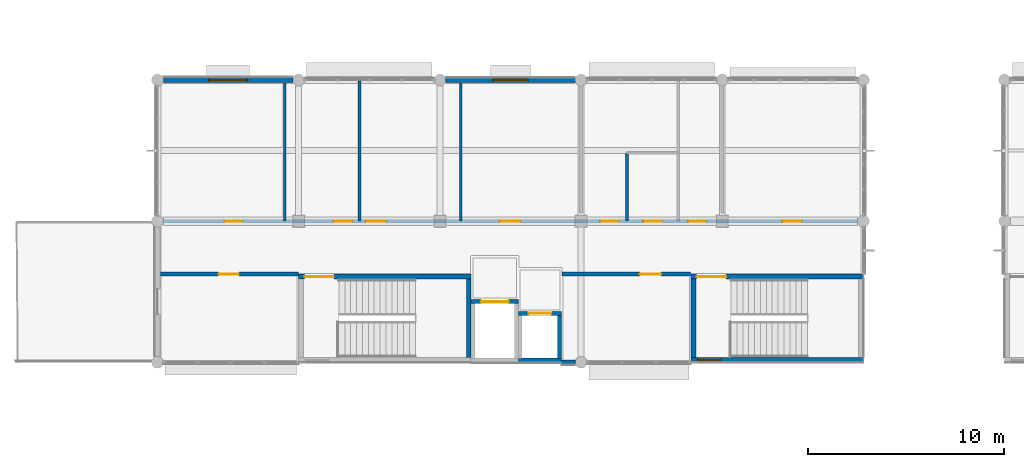
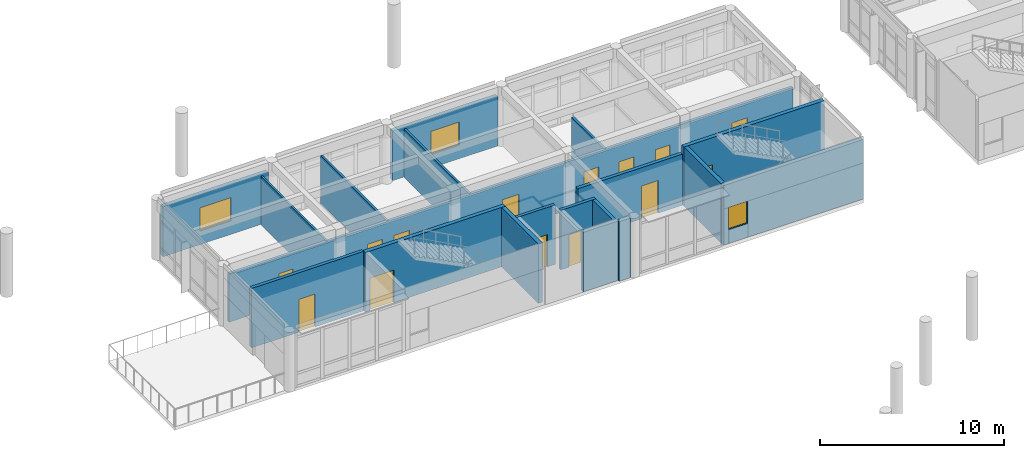
# One storey, part 21 of 41: 19 walls, 14 doors, 3 windows, 17 openings.
"""IFC4 building model written with IfcOpenShell, lengths in metres."""

import ifcopenshell
import ifcopenshell.guid

model = None  # the IFC model being written
_history = None  # IfcOwnerHistory: only IFC2X3 demands one
_inside = {}  # id of a spatial element -> (the spatial element, [elements in it])
_under = {}  # id of a project, library or spatial element -> (it, [spatial elements below it])
_declared = {}  # id of a project -> (the project, [libraries it declares])
_typed = {}  # id of a type object -> (the type object, [elements of that type])
_made_of = {}  # id of a material, layer set ... -> (it, [elements and type objects made of it])


def new_model(schema):
    """Start an empty IFC model of exactly this schema.

    Asked for "IFC4X3", IfcOpenShell would pick the latest addendum, in which some entities
    have other attributes; the version numbers below select the first issue.
    IFC2X3 requires an IfcOwnerHistory on every rooted entity: one is made here for all.
    """
    global model, _history
    if schema == "IFC4X3":
        model = ifcopenshell.file(schema_version=(4, 3, 0, 0))
    else:
        model = ifcopenshell.file(schema=schema)
    _inside.clear()
    _under.clear()
    _declared.clear()
    _typed.clear()
    _made_of.clear()
    _history = None
    if model.schema == "IFC2X3":
        org = make("IfcOrganization", Name="unknown")
        user = make(
            "IfcPersonAndOrganization",
            ThePerson=make("IfcPerson", FamilyName="unknown"),
            TheOrganization=org,
        )
        app = make(
            "IfcApplication",
            ApplicationDeveloper=org,
            Version="unknown",
            ApplicationFullName="unknown",
            ApplicationIdentifier="unknown",
        )
        _history = make(
            "IfcOwnerHistory",
            OwningUser=user,
            OwningApplication=app,
            ChangeAction="ADDED",
            CreationDate=0,
        )
    return model


def make(cls, **values):
    """One entity of the class cls with the attributes given. An attribute that is None is left unset."""
    return model.create_entity(
        cls, **{name: value for name, value in values.items() if value is not None}
    )


def rooted(cls, **values):
    """An entity with a GlobalId (a new one), such as an element, a storey or a relation."""
    return make(cls, GlobalId=ifcopenshell.guid.new(), OwnerHistory=_history, **values)


def si_unit(unit_type, name, prefix=None):
    """IfcSIUnit, for example si_unit("LENGTHUNIT", "METRE", prefix="MILLI")."""
    return make("IfcSIUnit", UnitType=unit_type, Prefix=prefix, Name=name)


def assignment(units):
    """IfcUnitAssignment: the units of a project."""
    return None if units is None else make("IfcUnitAssignment", Units=units)


def point(xyz):
    """IfcCartesianPoint."""
    return None if xyz is None else make("IfcCartesianPoint", Coordinates=xyz)


def direction(xyz):
    """IfcDirection."""
    return None if xyz is None else make("IfcDirection", DirectionRatios=xyz)


def frame(location, z_axis=None, x_axis=None):
    """IfcAxis2Placement3D, a coordinate frame: its origin and axes. An axis left out is left unset."""
    return make(
        "IfcAxis2Placement3D",
        Location=point(location),
        Axis=direction(z_axis),
        RefDirection=direction(x_axis),
    )


def frame_2d(location, x_axis=None):
    """IfcAxis2Placement2D, a coordinate frame in the plane: its origin and x axis."""
    return make(
        "IfcAxis2Placement2D", Location=point(location), RefDirection=direction(x_axis)
    )


def origin():
    """The frame at (0, 0, 0) with its axes left unset."""
    return frame((0.0, 0.0, 0.0))


def place(relative_to, where):
    """IfcLocalPlacement: puts the frame where relative to a parent placement (None: the world)."""
    return make(
        "IfcLocalPlacement", PlacementRelTo=relative_to, RelativePlacement=where
    )


def context(
    kind, dimensions, precision=None, world=None, true_north=None, identifier=None
):
    """IfcGeometricRepresentationContext, for example the 3D "Model" context."""
    return make(
        "IfcGeometricRepresentationContext",
        ContextIdentifier=identifier,
        ContextType=kind,
        CoordinateSpaceDimension=dimensions,
        Precision=precision,
        WorldCoordinateSystem=world,
        TrueNorth=true_north,
    )


def subcontext(parent, identifier, kind, view, scale=None):
    """IfcGeometricRepresentationSubContext, for example "Body" below "Model"."""
    return make(
        "IfcGeometricRepresentationSubContext",
        ContextIdentifier=identifier,
        ContextType=kind,
        ParentContext=parent,
        TargetScale=scale,
        TargetView=view,
    )


def project(units=None, contexts=None):
    """IfcProject with its units and contexts."""
    return rooted(
        "IfcProject",
        Name="project",
        RepresentationContexts=contexts,
        UnitsInContext=assignment(units),
    )


def spatial(cls, under=None, at=None, **own):
    """A site, building, storey or space (cls), placed at a placement, below another one or the project."""
    s = rooted(cls, ObjectPlacement=at, **own)
    if under is not None:
        _under.setdefault(under.id(), (under, []))[1].append(s)
    return s


def profile(cls, at=None, kind="AREA", **sizes):
    """A parametric profile (cls). Its sizes go by their IFC names, for example OverallWidth=200.0."""
    return make(cls, ProfileType=kind, Position=at, **sizes)


def rectangle(**sizes):
    """IfcRectangleProfileDef."""
    return profile("IfcRectangleProfileDef", **sizes)


def extrude(swept, where, along, depth):
    """IfcExtrudedAreaSolid: the profile swept, set in the frame where, extruded along a direction by depth."""
    return make(
        "IfcExtrudedAreaSolid",
        SweptArea=swept,
        Position=where,
        ExtrudedDirection=direction(along),
        Depth=depth,
    )


def shape(context_of_items, identifier, shape_type, items):
    """IfcShapeRepresentation: the items that make up one representation, for example the "Body"."""
    return make(
        "IfcShapeRepresentation",
        ContextOfItems=context_of_items,
        RepresentationIdentifier=identifier,
        RepresentationType=shape_type,
        Items=items,
    )


def material(Name=None, Category=None):
    """IfcMaterial."""
    return make("IfcMaterial", Name=Name, Category=Category)


def layer(
    of_material, thickness, ventilated=None, Name=None, Category=None, Priority=None
):
    """IfcMaterialLayer: one layer of a wall or slab, of a material (None: an air gap)."""
    return make(
        "IfcMaterialLayer",
        Material=of_material,
        LayerThickness=thickness,
        IsVentilated=ventilated,
        Name=Name,
        Category=Category,
        Priority=Priority,
    )


def layer_set(layers, Name=None):
    """IfcMaterialLayerSet."""
    return make("IfcMaterialLayerSet", MaterialLayers=layers, LayerSetName=Name)


def made_of(thing, what):
    """Note that an element or type object is made of a material, layer set ...; save() writes the relation."""
    if what is not None:
        _made_of.setdefault(what.id(), (what, []))[1].append(thing)
    return thing


def type_object(cls, material=None, **own):
    """A type object (cls), such as IfcWallType, which elements share."""
    return made_of(rooted(cls, **own), material)


def element(
    cls,
    number,
    at=None,
    inside=None,
    cuts=None,
    type_object=None,
    material=None,
    context=None,
    identifier="Body",
    shape_type=None,
    held_by="IfcProductDefinitionShape",
    body=None,
    shapes=None,
    **own,
):
    """One element of the class cls, such as IfcWall. Its Tag is "e" and its number.

    at: its placement. inside: the storey or other place that contains it. cuts: it is an
    opening in that element (IfcRelVoidsElement). A single representation is given by context,
    identifier, shape_type and body (its items); several are given by shapes. held_by: the class
    of the entity that holds the representations. save() writes the other relations.
    """
    e = rooted(cls, Tag="e%d" % number, ObjectPlacement=at, **own)
    if body is not None:
        shapes = [shape(context, identifier, shape_type, body)]
    if shapes is not None:
        e.Representation = make(held_by, Representations=shapes)
    if inside is not None:
        _inside.setdefault(inside.id(), (inside, []))[1].append(e)
    if cuts is not None:
        rooted(
            "IfcRelVoidsElement", RelatingBuildingElement=cuts, RelatedOpeningElement=e
        )
    if type_object is not None:
        _typed.setdefault(type_object.id(), (type_object, []))[1].append(e)
    return made_of(e, material)


def fill(opening, filler):
    """IfcRelFillsElement: the door or window that sits in an opening."""
    return rooted(
        "IfcRelFillsElement",
        RelatingOpeningElement=opening,
        RelatedBuildingElement=filler,
    )


def aggregate(whole, parts):
    """IfcRelAggregates: a whole, such as a stair, and the parts it consists of."""
    return rooted("IfcRelAggregates", RelatingObject=whole, RelatedObjects=parts)


def save(model, path):
    """Write the relations noted so far, then the file.

    IfcRelAggregates (storeys below a building ...), IfcRelContainedInSpatialStructure (elements
    in a storey), IfcRelDefinesByType, IfcRelAssociatesMaterial and IfcRelDeclares: one each for
    every whole, place, type object, material and project.
    """
    for whole, parts in _under.values():
        aggregate(whole, parts)
    for where, things in _inside.values():
        rooted(
            "IfcRelContainedInSpatialStructure",
            RelatedElements=things,
            RelatingStructure=where,
        )
    for kind, things in _typed.values():
        rooted("IfcRelDefinesByType", RelatedObjects=things, RelatingType=kind)
    for what, things in _made_of.values():
        rooted("IfcRelAssociatesMaterial", RelatedObjects=things, RelatingMaterial=what)
    for by, libraries in _declared.values():
        rooted("IfcRelDeclares", RelatingContext=by, RelatedDefinitions=libraries)
    model.write(path)


model = new_model("IFC4")

# Units and contexts
model_context = context("Model", 3, precision=1e-05, world=origin(), true_north=direction((0.0, 1.0)))
body_context = subcontext(model_context, "Body", "Model", "MODEL_VIEW")
ifc_project = project(units=[si_unit("LENGTHUNIT", "METRE"), si_unit("AREAUNIT", "SQUARE_METRE"), si_unit("VOLUMEUNIT", "CUBIC_METRE"), si_unit("PLANEANGLEUNIT", "RADIAN"), si_unit("MASSUNIT", "GRAM", prefix="KILO")], contexts=[model_context])

# Site, building, storey
site_placement = place(None, origin())
site = spatial("IfcSite", under=ifc_project, at=site_placement, CompositionType="ELEMENT")
building_placement = place(site_placement, origin())
building = spatial("IfcBuilding", under=site, at=building_placement, Name="Namkhue Oval Health Centre", CompositionType="ELEMENT")
storey_placement = place(building_placement, frame((0.0, 0.0, 13.800048828125)))
storey = spatial("IfcBuildingStorey", under=building, at=storey_placement, Name="L03", CompositionType="ELEMENT", Elevation=13.800048828125)

# Wall
ifc_material_1 = material(Name="Autoclaved aerated concrete blockwork M7.5", Category="masonry")
ifc_layer_1 = layer(ifc_material_1, 0.239990234375)
ifc_layer_set_1 = layer_set([ifc_layer_1], Name="Autoclaved aerated concrete blockwork M7.5")
wall_type_1 = type_object("IfcWallType", Name="EXTERIOR ENVELOPE WALL 240", PredefinedType="STANDARD", material=ifc_layer_set_1)
wall_1_placement = place(storey_placement, frame((71.001953125, 90.0, 0.0), z_axis=(0.0, 0.0, 1.0), x_axis=(1.0, 0.0, 0.0)))
element("IfcWall", 1, at=wall_1_placement, inside=storey, type_object=wall_type_1, Name="Volume V2 L03 Exterior Envelope Wall 39", PredefinedType="STANDARD", context=body_context, shape_type="SweptSolid", body=[
    extrude(rectangle(XDim=0.703125, YDim=0.239990234375, at=frame_2d((0.3515625, 0.0))), origin(), (0.0, 0.0, 1.0), 3.945068359375),
])

# Wall, opening, window
ifc_layer_2 = layer(ifc_material_1, 0.25)
ifc_layer_set_2 = layer_set([ifc_layer_2], Name="Autoclaved aerated concrete blockwork M7.5")
wall_type_2 = type_object("IfcWallType", Name="EXTERIOR ENVELOPE WALL 250", PredefinedType="STANDARD", material=ifc_layer_set_2)
wall_2_placement = place(storey_placement, frame((71.705078125, 104.39990234375, 0.0), z_axis=(0.0, 0.0, 1.0), x_axis=(-1.0, 0.0, 0.0)))
wall_2 = element("IfcWall", 2, at=wall_2_placement, inside=storey, type_object=wall_type_2, Name="Volume V2 L03 Exterior Envelope Wall 40", PredefinedType="STANDARD", context=body_context, shape_type="SweptSolid", body=[
    extrude(rectangle(XDim=6.610107421875, YDim=0.25, at=frame_2d((3.30517578125, 0.0))), origin(), (0.0, 0.0, 1.0), 3.294921875),
])
opening_1_placement = place(wall_2_placement, frame((2.405029296875, 0.0, 0.89990234375)))
opening_1 = element("IfcOpeningElement", 3, at=opening_1_placement, cuts=wall_2, Name="Opening WN-27", PredefinedType="OPENING", context=body_context, shape_type="SweptSolid", body=[
    extrude(rectangle(XDim=1.800048828125, YDim=1.5400390625, at=frame_2d((0.89990234375, 0.77001953125))), frame((0.0, 0.135009765625, 0.0), z_axis=(0.0, -1.0, 0.0), x_axis=(1.0, 0.0, 0.0)), (0.0, 0.0, 1.0), 0.27001953125),
])
ifc_material_2 = material(Name="Thermally broken low-E laminated double glazing", Category="glass")
window_type_1 = type_object("IfcWindowType", Name="EXTERIOR WINDOW 1800X1540", PartitioningType="SINGLE_PANEL", PredefinedType="WINDOW", material=ifc_material_2)
window_1_placement = place(opening_1_placement, origin())
window_1 = element("IfcWindow", 4, at=window_1_placement, inside=storey, type_object=window_type_1, Name="Volume V2 L03 Exterior Window 27", OverallHeight=1.5400390625, OverallWidth=1.800048828125, PartitioningType="SINGLE_PANEL", PredefinedType="WINDOW", context=body_context, shape_type="SweptSolid", body=[
    extrude(rectangle(XDim=1.800048828125, YDim=1.5400390625, at=frame_2d((0.89990234375, 0.77001953125))), frame((0.0, 0.030029296875, 0.0), z_axis=(0.0, -1.0, 0.0), x_axis=(1.0, 0.0, 0.0)), (0.0, 0.0, 1.0), 0.06005859375),
])
fill(opening_1, window_1)

ifc_layer_3 = layer(ifc_material_1, 0.260009765625)
ifc_layer_set_3 = layer_set([ifc_layer_3], Name="Autoclaved aerated concrete blockwork M7.5")
wall_type_3 = type_object("IfcWallType", Name="EXTERIOR ENVELOPE WALL 260", PredefinedType="STANDARD", material=ifc_layer_set_3)
wall_3_placement = place(storey_placement, frame((57.304931640625, 104.39990234375, 0.0), z_axis=(0.0, 0.0, 1.0), x_axis=(-1.0, 0.0, 0.0)))
wall_3 = element("IfcWall", 5, at=wall_3_placement, inside=storey, type_object=wall_type_3, Name="Volume V2 L03 Exterior Envelope Wall 41", PredefinedType="STANDARD", context=body_context, shape_type="SweptSolid", body=[
    extrude(rectangle(XDim=6.60986328125, YDim=0.260009765625, at=frame_2d((3.304931640625, 0.0))), origin(), (0.0, 0.0, 1.0), 3.322021484375),
])
opening_2_placement = place(wall_3_placement, frame((2.330078125, 0.0, 0.89990234375)))
opening_2 = element("IfcOpeningElement", 6, at=opening_2_placement, cuts=wall_3, Name="Opening WN-28", PredefinedType="OPENING", context=body_context, shape_type="SweptSolid", body=[
    extrude(rectangle(XDim=1.949951171875, YDim=1.5400390625, at=frame_2d((0.97509765625, 0.77001953125))), frame((0.0, 0.139892578125, 0.0), z_axis=(0.0, -1.0, 0.0), x_axis=(1.0, 0.0, 0.0)), (0.0, 0.0, 1.0), 0.280029296875),
])
window_type_2 = type_object("IfcWindowType", Name="EXTERIOR WINDOW 1950X1540", PartitioningType="SINGLE_PANEL", PredefinedType="WINDOW", material=ifc_material_2)
window_2_placement = place(opening_2_placement, origin())
window_2 = element("IfcWindow", 7, at=window_2_placement, inside=storey, type_object=window_type_2, Name="Volume V2 L03 Exterior Window 28", OverallHeight=1.5400390625, OverallWidth=1.949951171875, PartitioningType="SINGLE_PANEL", PredefinedType="WINDOW", context=body_context, shape_type="SweptSolid", body=[
    extrude(rectangle(XDim=1.949951171875, YDim=1.5400390625, at=frame_2d((0.97509765625, 0.77001953125))), frame((0.0, 0.030029296875, 0.0), z_axis=(0.0, -1.0, 0.0), x_axis=(1.0, 0.0, 0.0)), (0.0, 0.0, 1.0), 0.06005859375),
])
fill(opening_2, window_2)

# Wall, openings, doors
ifc_material_3 = material(Name="Gypsum plasterboard acoustic partition", Category="gypsum")
ifc_layer_4 = layer(ifc_material_3, 0.18505859375)
ifc_layer_set_4 = layer_set([ifc_layer_4], Name="Gypsum plasterboard acoustic partition")
wall_type_4 = type_object("IfcWallType", Name="FIRE PARTITION WALL 185", PredefinedType="PARTITIONING", material=ifc_layer_set_4)
wall_4_placement = place(storey_placement, frame((50.699951171875, 97.199951171875, 0.0), z_axis=(0.0, 0.0, 1.0), x_axis=(1.0, 0.0, 0.0)))
wall_4 = element("IfcWall", 8, at=wall_4_placement, inside=storey, type_object=wall_type_4, Name="Volume V2 L03 Clinical Partition Wall 72", PredefinedType="PARTITIONING", context=body_context, shape_type="SweptSolid", body=[
    extrude(rectangle(XDim=35.400146484375, YDim=0.18505859375, at=frame_2d((17.7001953125, 0.0))), origin(), (0.0, 0.0, 1.0), 3.195068359375),
])
opening_3_placement = place(wall_4_placement, frame((3.1240234375, 0.0, 0.0)))
opening_3 = element("IfcOpeningElement", 9, at=opening_3_placement, cuts=wall_4, Name="Opening CD-07", PredefinedType="OPENING", context=body_context, shape_type="SweptSolid", body=[
    extrude(rectangle(XDim=0.89990234375, YDim=2.1298828125, at=frame_2d((0.449951171875, 1.06494140625))), frame((0.0, 0.1025390625, 0.0), z_axis=(0.0, -1.0, 0.0), x_axis=(1.0, 0.0, 0.0)), (0.0, 0.0, 1.0), 0.205078125),
])
opening_4_placement = place(wall_4_placement, frame((8.68603515625, 0.0, 0.0)))
opening_4 = element("IfcOpeningElement", 10, at=opening_4_placement, cuts=wall_4, Name="Opening CD-08", PredefinedType="OPENING", context=body_context, shape_type="SweptSolid", body=[
    extrude(rectangle(XDim=0.949951171875, YDim=2.1298828125, at=frame_2d((0.47509765625, 1.06494140625))), frame((0.0, 0.1025390625, 0.0), z_axis=(0.0, -1.0, 0.0), x_axis=(1.0, 0.0, 0.0)), (0.0, 0.0, 1.0), 0.205078125),
])
opening_5_placement = place(wall_4_placement, frame((10.341064453125, 0.0, 0.0)))
opening_5 = element("IfcOpeningElement", 11, at=opening_5_placement, cuts=wall_4, Name="Opening CD-09", PredefinedType="OPENING", context=body_context, shape_type="SweptSolid", body=[
    extrude(rectangle(XDim=1.0, YDim=2.1298828125, at=frame_2d((0.5, 1.06494140625))), frame((0.0, 0.1025390625, 0.0), z_axis=(0.0, -1.0, 0.0), x_axis=(1.0, 0.0, 0.0)), (0.0, 0.0, 1.0), 0.205078125),
])
opening_6_placement = place(wall_4_placement, frame((17.153076171875, 0.0, 0.0)))
opening_6 = element("IfcOpeningElement", 12, at=opening_6_placement, cuts=wall_4, Name="Opening CD-10", PredefinedType="OPENING", context=body_context, shape_type="SweptSolid", body=[
    extrude(rectangle(XDim=1.050048828125, YDim=2.1298828125, at=frame_2d((0.52490234375, 1.06494140625))), frame((0.0, 0.1025390625, 0.0), z_axis=(0.0, -1.0, 0.0), x_axis=(1.0, 0.0, 0.0)), (0.0, 0.0, 1.0), 0.205078125),
])
opening_7_placement = place(wall_4_placement, frame((22.280029296875, 0.0, 0.0)))
opening_7 = element("IfcOpeningElement", 13, at=opening_7_placement, cuts=wall_4, Name="Opening CD-13", PredefinedType="OPENING", context=body_context, shape_type="SweptSolid", body=[
    extrude(rectangle(XDim=0.919921875, YDim=2.179931640625, at=frame_2d((0.4599609375, 1.08984375))), frame((0.0, 0.1025390625, 0.0), z_axis=(0.0, -1.0, 0.0), x_axis=(1.0, 0.0, 0.0)), (0.0, 0.0, 1.0), 0.205078125),
])
opening_8_placement = place(wall_4_placement, frame((24.47998046875, 0.0, 0.0)))
opening_8 = element("IfcOpeningElement", 14, at=opening_8_placement, cuts=wall_4, Name="Opening CD-02", PredefinedType="OPENING", context=body_context, shape_type="SweptSolid", body=[
    extrude(rectangle(XDim=0.93994140625, YDim=2.080078125, at=frame_2d((0.469970703125, 1.0400390625))), frame((0.0, 0.1025390625, 0.0), z_axis=(0.0, -1.0, 0.0), x_axis=(1.0, 0.0, 0.0)), (0.0, 0.0, 1.0), 0.205078125),
])
opening_9_placement = place(wall_4_placement, frame((26.77001953125, 0.0, 0.0)))
opening_9 = element("IfcOpeningElement", 15, at=opening_9_placement, cuts=wall_4, Name="Opening CD-01", PredefinedType="OPENING", context=body_context, shape_type="SweptSolid", body=[
    extrude(rectangle(XDim=0.89990234375, YDim=2.080078125, at=frame_2d((0.449951171875, 1.0400390625))), frame((0.0, 0.1025390625, 0.0), z_axis=(0.0, -1.0, 0.0), x_axis=(1.0, 0.0, 0.0)), (0.0, 0.0, 1.0), 0.205078125),
])
opening_10_placement = place(wall_4_placement, frame((31.572998046875, 0.0, 0.0)))
opening_10 = element("IfcOpeningElement", 16, at=opening_10_placement, cuts=wall_4, Name="Opening CD-14", PredefinedType="OPENING", context=body_context, shape_type="SweptSolid", body=[
    extrude(rectangle(XDim=0.969970703125, YDim=2.179931640625, at=frame_2d((0.48486328125, 1.08984375))), frame((0.0, 0.1025390625, 0.0), z_axis=(0.0, -1.0, 0.0), x_axis=(1.0, 0.0, 0.0)), (0.0, 0.0, 1.0), 0.205078125),
])
ifc_material_4 = material(Name="High-pressure laminate timber clinical door", Category="wood")
door_type_1 = type_object("IfcDoorType", Name="CLINICAL DOOR 1000X2130", OperationType="NOTDEFINED", PredefinedType="DOOR", material=ifc_material_4)
door_1_placement = place(opening_5_placement, origin())
door_1 = element("IfcDoor", 17, at=door_1_placement, inside=storey, type_object=door_type_1, Name="Volume V2 L03 Family Medicine Consultation Door 59", OperationType="SINGLE_SWING_LEFT", OverallHeight=2.1298828125, OverallWidth=1.0, PredefinedType="DOOR", context=body_context, shape_type="SweptSolid", body=[
    extrude(rectangle(XDim=1.0, YDim=2.1298828125, at=frame_2d((0.5, 1.06494140625))), frame((0.0, 0.02490234375, 0.0), z_axis=(0.0, -1.0, 0.0), x_axis=(1.0, 0.0, 0.0)), (0.0, 0.0, 1.0), 0.050048828125),
])
fill(opening_5, door_1)
door_type_2 = type_object("IfcDoorType", Name="CLINICAL DOOR 1050X2130", OperationType="NOTDEFINED", PredefinedType="DOOR", material=ifc_material_4)
door_2_placement = place(opening_6_placement, origin())
door_2 = element("IfcDoor", 18, at=door_2_placement, inside=storey, type_object=door_type_2, Name="Volume V2 L03 Dermatology Examination Room Door 60", OperationType="SINGLE_SWING_RIGHT", OverallHeight=2.1298828125, OverallWidth=1.050048828125, PredefinedType="DOOR", context=body_context, shape_type="SweptSolid", body=[
    extrude(rectangle(XDim=1.050048828125, YDim=2.1298828125, at=frame_2d((0.52490234375, 1.06494140625))), frame((0.0, 0.02490234375, 0.0), z_axis=(0.0, -1.0, 0.0), x_axis=(1.0, 0.0, 0.0)), (0.0, 0.0, 1.0), 0.050048828125),
])
fill(opening_6, door_2)
door_type_3 = type_object("IfcDoorType", Name="CLINICAL DOOR 900X2080", OperationType="NOTDEFINED", PredefinedType="DOOR", material=ifc_material_4)
door_3_placement = place(opening_9_placement, origin())
door_3 = element("IfcDoor", 19, at=door_3_placement, inside=storey, type_object=door_type_3, Name="Volume V2 L03 Staff Washroom Door 63", OperationType="SINGLE_SWING_LEFT", OverallHeight=2.080078125, OverallWidth=0.89990234375, PredefinedType="DOOR", context=body_context, shape_type="SweptSolid", body=[
    extrude(rectangle(XDim=0.89990234375, YDim=2.080078125, at=frame_2d((0.449951171875, 1.0400390625))), frame((0.0, 0.02490234375, 0.0), z_axis=(0.0, -1.0, 0.0), x_axis=(1.0, 0.0, 0.0)), (0.0, 0.0, 1.0), 0.050048828125),
])
fill(opening_9, door_3)
door_type_4 = type_object("IfcDoorType", Name="CLINICAL DOOR 900X2130", OperationType="NOTDEFINED", PredefinedType="DOOR", material=ifc_material_4)
door_4_placement = place(opening_3_placement, origin())
door_4 = element("IfcDoor", 20, at=door_4_placement, inside=storey, type_object=door_type_4, Name="Volume V2 L03 Patient Terrace Lounge Door 57", OperationType="SINGLE_SWING_LEFT", OverallHeight=2.1298828125, OverallWidth=0.89990234375, PredefinedType="DOOR", context=body_context, shape_type="SweptSolid", body=[
    extrude(rectangle(XDim=0.89990234375, YDim=2.1298828125, at=frame_2d((0.449951171875, 1.06494140625))), frame((0.0, 0.02490234375, 0.0), z_axis=(0.0, -1.0, 0.0), x_axis=(1.0, 0.0, 0.0)), (0.0, 0.0, 1.0), 0.050048828125),
])
fill(opening_3, door_4)
door_type_5 = type_object("IfcDoorType", Name="CLINICAL DOOR 920X2180", OperationType="NOTDEFINED", PredefinedType="DOOR", material=ifc_material_4)
door_5_placement = place(opening_7_placement, origin())
door_5 = element("IfcDoor", 21, at=door_5_placement, inside=storey, type_object=door_type_5, Name="Volume V2 L03 Clean Treatment Utility Room Door 61", OperationType="SINGLE_SWING_RIGHT", OverallHeight=2.179931640625, OverallWidth=0.919921875, PredefinedType="DOOR", context=body_context, shape_type="SweptSolid", body=[
    extrude(rectangle(XDim=0.919921875, YDim=2.179931640625, at=frame_2d((0.4599609375, 1.08984375))), frame((0.0, 0.02490234375, 0.0), z_axis=(0.0, -1.0, 0.0), x_axis=(1.0, 0.0, 0.0)), (0.0, 0.0, 1.0), 0.050048828125),
])
fill(opening_7, door_5)
door_type_6 = type_object("IfcDoorType", Name="CLINICAL DOOR 940X2080", OperationType="NOTDEFINED", PredefinedType="DOOR", material=ifc_material_4)
door_6_placement = place(opening_8_placement, origin())
door_6 = element("IfcDoor", 22, at=door_6_placement, inside=storey, type_object=door_type_6, Name="Volume V2 L03 Accessible WC Door 62", OperationType="SINGLE_SWING_RIGHT", OverallHeight=2.080078125, OverallWidth=0.93994140625, PredefinedType="DOOR", context=body_context, shape_type="SweptSolid", body=[
    extrude(rectangle(XDim=0.93994140625, YDim=2.080078125, at=frame_2d((0.469970703125, 1.0400390625))), frame((0.0, 0.02490234375, 0.0), z_axis=(0.0, -1.0, 0.0), x_axis=(1.0, 0.0, 0.0)), (0.0, 0.0, 1.0), 0.050048828125),
])
fill(opening_8, door_6)
door_type_7 = type_object("IfcDoorType", Name="CLINICAL DOOR 950X2130", OperationType="NOTDEFINED", PredefinedType="DOOR", material=ifc_material_4)
door_7_placement = place(opening_4_placement, origin())
door_7 = element("IfcDoor", 23, at=door_7_placement, inside=storey, type_object=door_type_7, Name="Volume V2 L03 HVAC Sub Plant Room Door 58", OperationType="SINGLE_SWING_RIGHT", OverallHeight=2.1298828125, OverallWidth=0.949951171875, PredefinedType="DOOR", context=body_context, shape_type="SweptSolid", body=[
    extrude(rectangle(XDim=0.949951171875, YDim=2.1298828125, at=frame_2d((0.47509765625, 1.06494140625))), frame((0.0, 0.02490234375, 0.0), z_axis=(0.0, -1.0, 0.0), x_axis=(1.0, 0.0, 0.0)), (0.0, 0.0, 1.0), 0.050048828125),
])
fill(opening_4, door_7)
door_type_8 = type_object("IfcDoorType", Name="CLINICAL DOOR 970X2180", OperationType="NOTDEFINED", PredefinedType="DOOR", material=ifc_material_4)
door_8_placement = place(opening_10_placement, origin())
door_8 = element("IfcDoor", 24, at=door_8_placement, inside=storey, type_object=door_type_8, Name="Volume V2 L03 Allergy Testing Clinic Door 64", OperationType="SINGLE_SWING_RIGHT", OverallHeight=2.179931640625, OverallWidth=0.969970703125, PredefinedType="DOOR", context=body_context, shape_type="SweptSolid", body=[
    extrude(rectangle(XDim=0.969970703125, YDim=2.179931640625, at=frame_2d((0.48486328125, 1.08984375))), frame((0.0, 0.02490234375, 0.0), z_axis=(0.0, -1.0, 0.0), x_axis=(1.0, 0.0, 0.0)), (0.0, 0.0, 1.0), 0.050048828125),
])
fill(opening_10, door_8)

# Wall, opening, door
ifc_layer_5 = layer(ifc_material_3, 0.205078125)
ifc_layer_set_5 = layer_set([ifc_layer_5], Name="Gypsum plasterboard acoustic partition")
wall_type_5 = type_object("IfcWallType", Name="FIRE PARTITION WALL 205", PredefinedType="PARTITIONING", material=ifc_layer_set_5)
wall_5_placement = place(storey_placement, frame((50.556884765625, 94.5, 0.0), z_axis=(0.0, 0.0, 1.0), x_axis=(1.0, 0.0, 0.0)))
wall_5 = element("IfcWall", 25, at=wall_5_placement, inside=storey, type_object=wall_type_5, Name="Volume V2 L03 Clinical Partition Wall 81", PredefinedType="PARTITIONING", context=body_context, shape_type="SweptSolid", body=[
    extrude(rectangle(XDim=7.023193359375, YDim=0.205078125, at=frame_2d((3.51171875, 0.0))), origin(), (0.0, 0.0, 1.0), 3.945068359375),
])
opening_11_placement = place(wall_5_placement, frame((2.9599609375, 0.0, 0.0)))
opening_11 = element("IfcOpeningElement", 26, at=opening_11_placement, cuts=wall_5, Name="Opening CD-15", PredefinedType="OPENING", context=body_context, shape_type="SweptSolid", body=[
    extrude(rectangle(XDim=1.030029296875, YDim=2.179931640625, at=frame_2d((0.51513671875, 1.08984375))), frame((0.0, 0.112548828125, 0.0), z_axis=(0.0, -1.0, 0.0), x_axis=(1.0, 0.0, 0.0)), (0.0, 0.0, 1.0), 0.22509765625),
])
door_type_9 = type_object("IfcDoorType", Name="CLINICAL DOOR 1030X2180", OperationType="NOTDEFINED", PredefinedType="DOOR", material=ifc_material_4)
door_9_placement = place(opening_11_placement, frame((1.030029296875, 0.0, 0.0), z_axis=(0.0, 0.0, 1.0), x_axis=(-1.0, 0.0, 0.0)))
door_9 = element("IfcDoor", 27, at=door_9_placement, inside=storey, type_object=door_type_9, Name="Volume V2 L03 West Terrace Wellness Lounge Door 65", OperationType="SINGLE_SWING_LEFT", OverallHeight=2.179931640625, OverallWidth=1.030029296875, PredefinedType="DOOR", context=body_context, shape_type="SweptSolid", body=[
    extrude(rectangle(XDim=1.030029296875, YDim=2.179931640625, at=frame_2d((0.51513671875, 1.08984375))), frame((0.0, 0.02490234375, 0.0), z_axis=(0.0, -1.0, 0.0), x_axis=(1.0, 0.0, 0.0)), (0.0, 0.0, 1.0), 0.050048828125),
])
fill(opening_11, door_9)

ifc_layer_6 = layer(ifc_material_3, 0.215087890625)
ifc_layer_set_6 = layer_set([ifc_layer_6], Name="Gypsum plasterboard acoustic partition")
wall_type_6 = type_object("IfcWallType", Name="FIRE PARTITION WALL 215", PredefinedType="PARTITIONING", material=ifc_layer_set_6)
wall_6_placement = place(storey_placement, frame((71.02001953125, 94.5, 0.0), z_axis=(0.0, 0.0, 1.0), x_axis=(1.0, 0.0, 0.0)))
wall_6 = element("IfcWall", 28, at=wall_6_placement, inside=storey, type_object=wall_type_6, Name="Volume V2 L03 Clinical Partition Wall 82", PredefinedType="PARTITIONING", context=body_context, shape_type="SweptSolid", body=[
    extrude(rectangle(XDim=6.56005859375, YDim=0.215087890625, at=frame_2d((3.280029296875, 0.0))), origin(), (0.0, 0.0, 1.0), 3.39501953125),
])
opening_12_placement = place(wall_6_placement, frame((3.97998046875, 0.0, 0.0)))
opening_12 = element("IfcOpeningElement", 29, at=opening_12_placement, cuts=wall_6, Name="Opening CD-16", PredefinedType="OPENING", context=body_context, shape_type="SweptSolid", body=[
    extrude(rectangle(XDim=1.080078125, YDim=2.179931640625, at=frame_2d((0.5400390625, 1.08984375))), frame((0.0, 0.117431640625, 0.0), z_axis=(0.0, -1.0, 0.0), x_axis=(1.0, 0.0, 0.0)), (0.0, 0.0, 1.0), 0.235107421875),
])
door_type_10 = type_object("IfcDoorType", Name="CLINICAL DOOR 1080X2180", OperationType="NOTDEFINED", PredefinedType="DOOR", material=ifc_material_4)
door_10_placement = place(opening_12_placement, frame((1.080078125, 0.0, 0.0), z_axis=(0.0, 0.0, 1.0), x_axis=(-1.0, 0.0, 0.0)))
door_10 = element("IfcDoor", 30, at=door_10_placement, inside=storey, type_object=door_type_10, Name="Volume V2 L03 Immunology Patch Testing Room Door 66", OperationType="SINGLE_SWING_RIGHT", OverallHeight=2.179931640625, OverallWidth=1.080078125, PredefinedType="DOOR", context=body_context, shape_type="SweptSolid", body=[
    extrude(rectangle(XDim=1.080078125, YDim=2.179931640625, at=frame_2d((0.5400390625, 1.08984375))), frame((0.0, 0.02490234375, 0.0), z_axis=(0.0, -1.0, 0.0), x_axis=(1.0, 0.0, 0.0)), (0.0, 0.0, 1.0), 0.050048828125),
])
fill(opening_12, door_10)

# Walls
ifc_layer_7 = layer(ifc_material_3, 0.1201171875)
ifc_layer_set_7 = layer_set([ifc_layer_7], Name="Gypsum plasterboard acoustic partition")
wall_type_7 = type_object("IfcWallType", Name="INTERIOR PARTITION WALL 120", PredefinedType="PARTITIONING", material=ifc_layer_set_7)
wall_7_placement = place(storey_placement, frame((56.883056640625, 97.199951171875, 0.0), z_axis=(0.0, 0.0, 1.0), x_axis=(0.0, 1.0, 0.0)))
element("IfcWall", 31, at=wall_7_placement, inside=storey, type_object=wall_type_7, Name="Volume V2 L03 Clinical Partition Wall 73", PredefinedType="PARTITIONING", context=body_context, shape_type="SweptSolid", body=[
    extrude(rectangle(XDim=7.048095703125, YDim=0.1201171875, at=frame_2d((3.52392578125, 0.0))), origin(), (0.0, 0.0, 1.0), 3.221923828125),
])
ifc_layer_8 = layer(ifc_material_3, 0.1298828125)
ifc_layer_set_8 = layer_set([ifc_layer_8], Name="Gypsum plasterboard acoustic partition")
wall_type_8 = type_object("IfcWallType", Name="INTERIOR PARTITION WALL 130", PredefinedType="PARTITIONING", material=ifc_layer_set_8)
wall_8_placement = place(storey_placement, frame((60.700927734375, 97.199951171875, 0.0), z_axis=(0.0, 0.0, 1.0), x_axis=(0.0, 1.0, 0.0)))
element("IfcWall", 32, at=wall_8_placement, inside=storey, type_object=wall_type_8, Name="Volume V2 L03 Clinical Partition Wall 74", PredefinedType="PARTITIONING", context=body_context, shape_type="SweptSolid", body=[
    extrude(rectangle(XDim=7.16015625, YDim=0.1298828125, at=frame_2d((3.580078125, 0.0))), origin(), (0.0, 0.0, 1.0), 3.195068359375),
])
ifc_layer_9 = layer(ifc_material_3, 0.139892578125)
ifc_layer_set_9 = layer_set([ifc_layer_9], Name="Gypsum plasterboard acoustic partition")
wall_type_9 = type_object("IfcWallType", Name="INTERIOR PARTITION WALL 140", PredefinedType="PARTITIONING", material=ifc_layer_set_9)
wall_9_placement = place(storey_placement, frame((65.868896484375, 97.199951171875, 0.0), z_axis=(0.0, 0.0, 1.0), x_axis=(0.0, 1.0, 0.0)))
element("IfcWall", 33, at=wall_9_placement, inside=storey, type_object=wall_type_9, Name="Volume V2 L03 Clinical Partition Wall 75", PredefinedType="PARTITIONING", context=body_context, shape_type="SweptSolid", body=[
    extrude(rectangle(XDim=7.052978515625, YDim=0.139892578125, at=frame_2d((3.5263671875, 0.0))), origin(), (0.0, 0.0, 1.0), 3.195068359375),
])
ifc_layer_10 = layer(ifc_material_3, 0.159912109375)
ifc_layer_set_10 = layer_set([ifc_layer_10], Name="Gypsum plasterboard acoustic partition")
wall_type_10 = type_object("IfcWallType", Name="INTERIOR PARTITION WALL 160", PredefinedType="PARTITIONING", material=ifc_layer_set_10)
wall_10_placement = place(storey_placement, frame((74.340087890625, 97.199951171875, 0.0), z_axis=(0.0, 0.0, 1.0), x_axis=(0.0, 1.0, 0.0)))
element("IfcWall", 34, at=wall_10_placement, inside=storey, type_object=wall_type_10, Name="Volume V2 L03 Clinical Partition Wall 77", PredefinedType="PARTITIONING", context=body_context, shape_type="SweptSolid", body=[
    extrude(rectangle(XDim=3.47998046875, YDim=0.159912109375, at=frame_2d((1.739990234375, 0.0))), origin(), (0.0, 0.0, 1.0), 3.195068359375),
])

# Wall, opening, window
ifc_material_5 = material(Name="Reinforced concrete C35/45 (TCVN B40)", Category="concrete")
ifc_layer_11 = layer(ifc_material_5, 0.25)
ifc_layer_set_11 = layer_set([ifc_layer_11], Name="Reinforced concrete C35/45 (TCVN B40)")
wall_type_11 = type_object("IfcWallType", Name="SHEAR CORE WALL EXT 250", PredefinedType="SHEAR", material=ifc_layer_set_11)
wall_11_placement = place(storey_placement, frame((77.60009765625, 90.125, 0.0), z_axis=(0.0, 0.0, 1.0), x_axis=(1.0, 0.0, 0.0)))
wall_11 = element("IfcWall", 35, at=wall_11_placement, inside=storey, type_object=wall_type_11, Name="Core SC-04 L03 Shear Wall S", PredefinedType="SHEAR", context=body_context, shape_type="SweptSolid", body=[
    extrude(rectangle(XDim=8.7998046875, YDim=0.25, at=frame_2d((4.39990234375, 0.0))), origin(), (0.0, 0.0, 1.0), 3.945068359375),
])
opening_13_placement = place(wall_11_placement, frame((0.35009765625, 0.0, 0.919921875)))
opening_13 = element("IfcOpeningElement", 36, at=opening_13_placement, cuts=wall_11, Name="Opening SWN-01", PredefinedType="OPENING", context=body_context, shape_type="SweptSolid", body=[
    extrude(rectangle(XDim=1.179931640625, YDim=1.47998046875, at=frame_2d((0.58984375, 0.739990234375))), frame((0.0, 0.135009765625, 0.0), z_axis=(0.0, -1.0, 0.0), x_axis=(1.0, 0.0, 0.0)), (0.0, 0.0, 1.0), 0.27001953125),
])
ifc_material_6 = material(Name="Fire-rated insulated safety double glazing", Category="glass")
window_type_3 = type_object("IfcWindowType", Name="EXTERIOR WINDOW STAIRWELL 1180X1480", PartitioningType="SINGLE_PANEL", PredefinedType="WINDOW", material=ifc_material_6)
window_3_placement = place(opening_13_placement, origin())
window_3 = element("IfcWindow", 37, at=window_3_placement, inside=storey, type_object=window_type_3, Name="Stair ST-04 L03 Stairwell Daylight Window", OverallHeight=1.47998046875, OverallWidth=1.179931640625, PartitioningType="SINGLE_PANEL", PredefinedType="WINDOW", context=body_context, shape_type="SweptSolid", body=[
    extrude(rectangle(XDim=1.179931640625, YDim=1.47998046875, at=frame_2d((0.58984375, 0.739990234375))), frame((0.0, 0.030029296875, 0.0), z_axis=(0.0, -1.0, 0.0), x_axis=(1.0, 0.0, 0.0)), (0.0, 0.0, 1.0), 0.06005859375),
])
fill(opening_13, window_3)

# Wall
wall_12_placement = place(storey_placement, frame((68.800048828125, 90.10009765625, 0.0), z_axis=(0.0, 0.0, 1.0), x_axis=(1.0, 0.0, 0.0)))
element("IfcWall", 38, at=wall_12_placement, inside=storey, type_object=wall_type_11, Name="Lift LF-02 L03 Shaft Wall S", PredefinedType="SHEAR", context=body_context, shape_type="SweptSolid", body=[
    extrude(rectangle(XDim=2.199951171875, YDim=0.25, at=frame_2d((1.10009765625, 0.0))), origin(), (0.0, 0.0, 1.0), 3.945068359375),
])

# Wall, opening, door
ifc_layer_12 = layer(ifc_material_5, 0.199951171875)
ifc_layer_set_12 = layer_set([ifc_layer_12], Name="Reinforced concrete C35/45 (TCVN B40)")
wall_type_12 = type_object("IfcWallType", Name="SHEAR CORE WALL INT 200", PredefinedType="SHEAR", material=ifc_layer_set_12)
wall_13_placement = place(storey_placement, frame((68.800048828125, 93.10009765625, 0.0), z_axis=(0.0, 0.0, 1.0), x_axis=(-1.0, 0.0, 0.0)))
wall_13 = element("IfcWall", 39, at=wall_13_placement, inside=storey, type_object=wall_type_12, Name="Lift LF-01 L03 Shaft Wall N", PredefinedType="SHEAR", context=body_context, shape_type="SweptSolid", body=[
    extrude(rectangle(XDim=2.400146484375, YDim=0.199951171875, at=frame_2d((1.2001953125, 0.0))), origin(), (0.0, 0.0, 1.0), 3.945068359375),
])
opening_14_placement = place(wall_13_placement, frame((0.5, 0.0, 0.0)))
opening_14 = element("IfcOpeningElement", 40, at=opening_14_placement, cuts=wall_13, Name="Opening LD-01", PredefinedType="OPENING", context=body_context, shape_type="SweptSolid", body=[
    extrude(rectangle(XDim=1.39990234375, YDim=2.14990234375, at=frame_2d((0.699951171875, 1.074951171875))), frame((0.0, 0.10986328125, 0.0), z_axis=(0.0, -1.0, 0.0), x_axis=(1.0, 0.0, 0.0)), (0.0, 0.0, 1.0), 0.219970703125),
])
ifc_material_7 = material(Name="Powder-coated steel fire door assembly", Category="steel")
door_type_11 = type_object("IfcDoorType", Name="LIFT LANDING DOOR STRETCHER 1400X2150", OperationType="DOUBLE_DOOR_SLIDING", PredefinedType="DOOR", material=ifc_material_7)
door_11_placement = place(opening_14_placement, frame((1.39990234375, 0.0, 0.0), z_axis=(0.0, 0.0, 1.0), x_axis=(-1.0, 0.0, 0.0)))
door_11 = element("IfcDoor", 41, at=door_11_placement, inside=storey, type_object=door_type_11, Name="Lift LF-01 L03 Sliding Landing Door", OperationType="DOUBLE_DOOR_SLIDING", OverallHeight=2.14990234375, OverallWidth=1.39990234375, PredefinedType="DOOR", context=body_context, shape_type="SweptSolid", body=[
    extrude(rectangle(XDim=1.39990234375, YDim=2.14990234375, at=frame_2d((0.699951171875, 1.074951171875))), frame((0.0, 0.02490234375, 0.0), z_axis=(0.0, -1.0, 0.0), x_axis=(1.0, 0.0, 0.0)), (0.0, 0.0, 1.0), 0.050048828125),
])
fill(opening_14, door_11)

# Wall
wall_14_placement = place(storey_placement, frame((70.89990234375, 90.199951171875, 0.0), z_axis=(0.0, 0.0, 1.0), x_axis=(0.0, 1.0, 0.0)))
element("IfcWall", 42, at=wall_14_placement, inside=storey, type_object=wall_type_12, Name="Lift LF-02 L03 Shaft Wall E", PredefinedType="SHEAR", context=body_context, shape_type="SweptSolid", body=[
    extrude(rectangle(XDim=2.199951171875, YDim=0.199951171875, at=frame_2d((1.10009765625, 0.0))), origin(), (0.0, 0.0, 1.0), 3.945068359375),
])

# Wall, opening, door
wall_15_placement = place(storey_placement, frame((71.0, 92.5, 0.0), z_axis=(0.0, 0.0, 1.0), x_axis=(-1.0, 0.0, 0.0)))
wall_15 = element("IfcWall", 43, at=wall_15_placement, inside=storey, type_object=wall_type_12, Name="Lift LF-02 L03 Shaft Wall N", PredefinedType="SHEAR", context=body_context, shape_type="SweptSolid", body=[
    extrude(rectangle(XDim=2.199951171875, YDim=0.199951171875, at=frame_2d((1.10009765625, 0.0))), origin(), (0.0, 0.0, 1.0), 3.945068359375),
])
opening_15_placement = place(wall_15_placement, frame((0.52490234375, 0.0, 0.0)))
opening_15 = element("IfcOpeningElement", 44, at=opening_15_placement, cuts=wall_15, Name="Opening LD-02", PredefinedType="OPENING", context=body_context, shape_type="SweptSolid", body=[
    extrude(rectangle(XDim=1.14990234375, YDim=2.14990234375, at=frame_2d((0.574951171875, 1.074951171875))), frame((0.0, 0.10986328125, 0.0), z_axis=(0.0, -1.0, 0.0), x_axis=(1.0, 0.0, 0.0)), (0.0, 0.0, 1.0), 0.219970703125),
])
door_type_12 = type_object("IfcDoorType", Name="LIFT LANDING DOOR PASSENGER 1150X2150", OperationType="DOUBLE_DOOR_SLIDING", PredefinedType="DOOR", material=ifc_material_7)
door_12_placement = place(opening_15_placement, frame((1.14990234375, 0.0, 0.0), z_axis=(0.0, 0.0, 1.0), x_axis=(-1.0, 0.0, 0.0)))
door_12 = element("IfcDoor", 45, at=door_12_placement, inside=storey, type_object=door_type_12, Name="Lift LF-02 L03 Sliding Landing Door", OperationType="DOUBLE_DOOR_SLIDING", OverallHeight=2.14990234375, OverallWidth=1.14990234375, PredefinedType="DOOR", context=body_context, shape_type="SweptSolid", body=[
    extrude(rectangle(XDim=1.14990234375, YDim=2.14990234375, at=frame_2d((0.574951171875, 1.074951171875))), frame((0.0, 0.02490234375, 0.0), z_axis=(0.0, -1.0, 0.0), x_axis=(1.0, 0.0, 0.0)), (0.0, 0.0, 1.0), 0.050048828125),
])
fill(opening_15, door_12)

# Wall
ifc_layer_13 = layer(ifc_material_5, 0.25)
ifc_layer_set_13 = layer_set([ifc_layer_13], Name="Reinforced concrete C35/45 (TCVN B40)")
wall_type_13 = type_object("IfcWallType", Name="SHEAR CORE WALL INT 250", PredefinedType="SHEAR", material=ifc_layer_set_13)
wall_16_placement = place(storey_placement, frame((66.27490234375, 90.25, 0.0), z_axis=(0.0, 0.0, 1.0), x_axis=(0.0, 1.0, 0.0)))
element("IfcWall", 46, at=wall_16_placement, inside=storey, type_object=wall_type_13, Name="Core SC-03 L03 Shear Wall E", PredefinedType="SHEAR", context=body_context, shape_type="SweptSolid", body=[
    extrude(rectangle(XDim=4.0, YDim=0.25, at=frame_2d((2.0, 0.0))), origin(), (0.0, 0.0, 1.0), 3.945068359375),
])

# Wall, opening, door
wall_17_placement = place(storey_placement, frame((66.39990234375, 94.375, 0.0), z_axis=(0.0, 0.0, 1.0), x_axis=(-1.0, 0.0, 0.0)))
wall_17 = element("IfcWall", 47, at=wall_17_placement, inside=storey, type_object=wall_type_13, Name="Core SC-03 L03 Shear Wall N", PredefinedType="SHEAR", context=body_context, shape_type="SweptSolid", body=[
    extrude(rectangle(XDim=8.7998046875, YDim=0.25, at=frame_2d((4.39990234375, 0.0))), origin(), (0.0, 0.0, 1.0), 3.945068359375),
])
opening_16_placement = place(wall_17_placement, frame((7.0, 0.0, 0.0)))
opening_16 = element("IfcOpeningElement", 48, at=opening_16_placement, cuts=wall_17, Name="Opening SD-I1", PredefinedType="OPENING", context=body_context, shape_type="SweptSolid", body=[
    extrude(rectangle(XDim=1.5, YDim=2.14990234375, at=frame_2d((0.75, 1.074951171875))), frame((0.0, 0.135009765625, 0.0), z_axis=(0.0, -1.0, 0.0), x_axis=(1.0, 0.0, 0.0)), (0.0, 0.0, 1.0), 0.27001953125),
])
door_type_13 = type_object("IfcDoorType", Name="CLINICAL DOOR STAIR CORE 1500X2150", OperationType="DOUBLE_DOOR_SINGLE_SWING", PredefinedType="DOOR", material=ifc_material_7)
door_13_placement = place(opening_16_placement, origin())
door_13 = element("IfcDoor", 49, at=door_13_placement, inside=storey, type_object=door_type_13, Name="Stair ST-03 L03 Stair Enclosure Fire Door", OperationType="DOUBLE_DOOR_SINGLE_SWING", OverallHeight=2.14990234375, OverallWidth=1.5, PredefinedType="DOOR", context=body_context, shape_type="SweptSolid", body=[
    extrude(rectangle(XDim=1.5, YDim=2.14990234375, at=frame_2d((0.75, 1.074951171875))), frame((0.0, 0.02490234375, 0.0), z_axis=(0.0, -1.0, 0.0), x_axis=(1.0, 0.0, 0.0)), (0.0, 0.0, 1.0), 0.050048828125),
])
fill(opening_16, door_13)

wall_18_placement = place(storey_placement, frame((86.39990234375, 94.375, 0.0), z_axis=(0.0, 0.0, 1.0), x_axis=(-1.0, 0.0, 0.0)))
wall_18 = element("IfcWall", 50, at=wall_18_placement, inside=storey, type_object=wall_type_13, Name="Core SC-04 L03 Shear Wall N", PredefinedType="SHEAR", context=body_context, shape_type="SweptSolid", body=[
    extrude(rectangle(XDim=8.7998046875, YDim=0.25, at=frame_2d((4.39990234375, 0.0))), origin(), (0.0, 0.0, 1.0), 3.945068359375),
])
opening_17_placement = place(wall_18_placement, frame((7.0, 0.0, 0.0)))
opening_17 = element("IfcOpeningElement", 51, at=opening_17_placement, cuts=wall_18, Name="Opening SD-I1", PredefinedType="OPENING", context=body_context, shape_type="SweptSolid", body=[
    extrude(rectangle(XDim=1.5, YDim=2.14990234375, at=frame_2d((0.75, 1.074951171875))), frame((0.0, 0.135009765625, 0.0), z_axis=(0.0, -1.0, 0.0), x_axis=(1.0, 0.0, 0.0)), (0.0, 0.0, 1.0), 0.27001953125),
])
door_14_placement = place(opening_17_placement, origin())
door_14 = element("IfcDoor", 52, at=door_14_placement, inside=storey, type_object=door_type_13, Name="Stair ST-04 L03 Stair Enclosure Fire Door", OperationType="DOUBLE_DOOR_SINGLE_SWING", OverallHeight=2.14990234375, OverallWidth=1.5, PredefinedType="DOOR", context=body_context, shape_type="SweptSolid", body=[
    extrude(rectangle(XDim=1.5, YDim=2.14990234375, at=frame_2d((0.75, 1.074951171875))), frame((0.0, 0.02490234375, 0.0), z_axis=(0.0, -1.0, 0.0), x_axis=(1.0, 0.0, 0.0)), (0.0, 0.0, 1.0), 0.050048828125),
])
fill(opening_17, door_14)

# Wall
wall_19_placement = place(storey_placement, frame((77.72509765625, 94.25, 0.0), z_axis=(0.0, 0.0, 1.0), x_axis=(0.0, -1.0, 0.0)))
element("IfcWall", 53, at=wall_19_placement, inside=storey, type_object=wall_type_13, Name="Core SC-04 L03 Shear Wall W", PredefinedType="SHEAR", context=body_context, shape_type="SweptSolid", body=[
    extrude(rectangle(XDim=4.0, YDim=0.25, at=frame_2d((2.0, 0.0))), origin(), (0.0, 0.0, 1.0), 3.945068359375),
])

save(model, "model.ifc")
